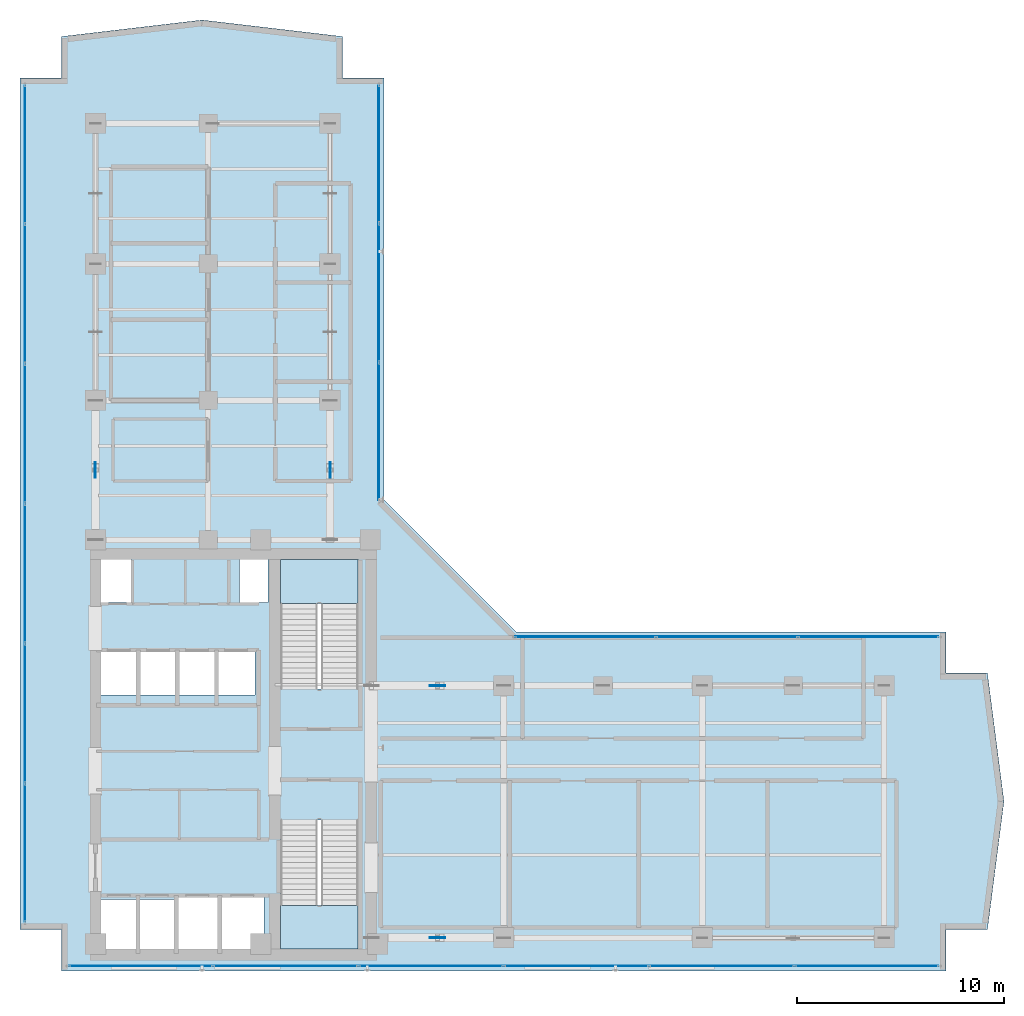
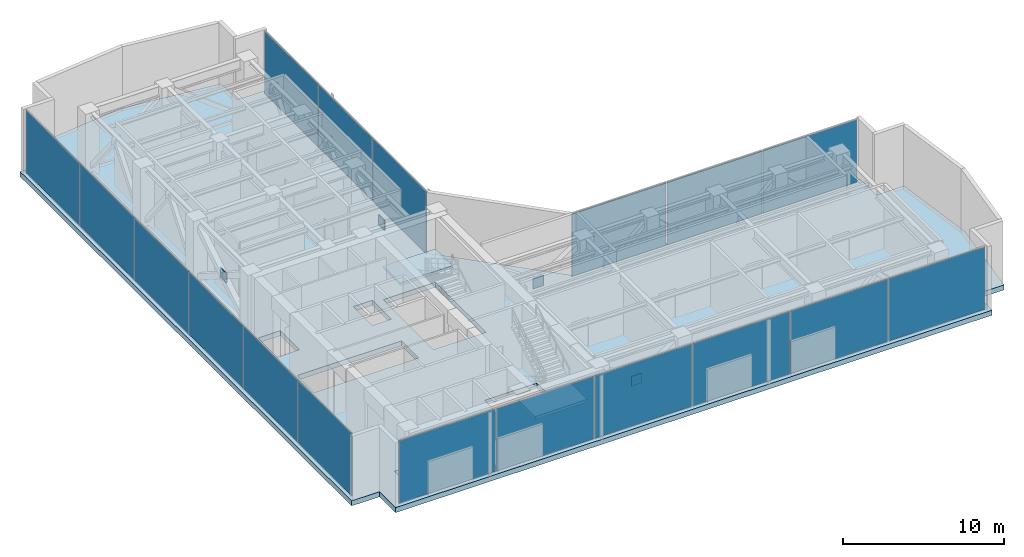
# One storey, part 23 of 31: 22 plates, 3 slabs, 6 elements without a shape of their own.
"""IFC4 building model written with IfcOpenShell, lengths in metres."""

from ifc_helpers import new_model, si_unit, direction, frame, origin, origin_with_axes, origin_2d, place, context, subcontext, project, spatial, polyline, rectangle, outline, extrude, source, transform, mapped, material, layer, layer_set, type_object, element, aggregate, save


model = new_model("IFC4")

# Units and contexts
model_context = context("Model", 3, precision=1e-05, world=origin(), true_north=direction((0.0, 1.0)))
body_context = subcontext(model_context, "Body", "Model", "MODEL_VIEW")
ifc_project = project(units=[si_unit("LENGTHUNIT", "METRE"), si_unit("AREAUNIT", "SQUARE_METRE"), si_unit("VOLUMEUNIT", "CUBIC_METRE"), si_unit("PLANEANGLEUNIT", "RADIAN"), si_unit("MASSUNIT", "GRAM", prefix="KILO")], contexts=[model_context])

# Site, building, storey
site_placement = place(None, origin())
site = spatial("IfcSite", under=ifc_project, at=site_placement, CompositionType="ELEMENT")
building_placement = place(site_placement, origin())
building = spatial("IfcBuilding", under=site, at=building_placement, Name="Kolvaren Waterfront Exchange", CompositionType="ELEMENT")
storey_placement = place(building_placement, frame((0.0, 0.0, 257.699951171875)))
storey = spatial("IfcBuildingStorey", under=building, at=storey_placement, Name="L66", CompositionType="ELEMENT", Elevation=257.699951171875)

# Stair, slab
ifc_material_1 = material(Name="Concrete C40/50", Category="concrete")
stair_type = type_object("IfcStairType", Name="ARC-STAIR-5100", PredefinedType="HALF_TURN_STAIR", material=ifc_material_1)
stair_1_placement = place(storey_placement, origin())
stair_1 = element("IfcStair", 1, at=stair_1_placement, inside=storey, type_object=stair_type, Name="L66 Smoke-proof exit stair ST1", PredefinedType="HALF_TURN_STAIR")
ifc_layer_1 = layer(ifc_material_1, 0.199951171875, Name="Concrete C40/50")
ifc_layer_set_1 = layer_set([ifc_layer_1], Name="Concrete C40/50")
slab_type_1 = type_object("IfcSlabType", Name="STR-LANDING-200", PredefinedType="LANDING", material=ifc_layer_set_1)
slab_1_placement = place(storey_placement, frame((0.0, 0.0, 2.35009765625)))
slab_1 = element("IfcSlab", 2, at=slab_1_placement, type_object=slab_type_1, Name="ST1 landing 1", PredefinedType="LANDING", context=body_context, shape_type="SweptSolid", body=[
    extrude(outline(polyline([(16.39990234375, 6.77001953125), (16.39990234375, 4.64990234375), (20.159912109375, 4.64990234375), (20.159912109375, 6.77001953125), (16.39990234375, 6.77001953125)])), origin(), (0.0, 0.0, 1.0), 0.199951171875),
])
aggregate(stair_1, [slab_1])

stair_2_placement = place(storey_placement, origin())
stair_2 = element("IfcStair", 3, at=stair_2_placement, inside=storey, type_object=stair_type, Name="L66 Smoke-proof exit stair ST2", PredefinedType="HALF_TURN_STAIR")
slab_2_placement = place(storey_placement, frame((0.0, 0.0, 2.35009765625)))
slab_2 = element("IfcSlab", 4, at=slab_2_placement, type_object=slab_type_1, Name="ST2 landing 1", PredefinedType="LANDING", context=body_context, shape_type="SweptSolid", body=[
    extrude(outline(polyline([(20.159912109375, 21.3798828125), (20.159912109375, 23.5), (16.39990234375, 23.5), (16.39990234375, 21.3798828125), (20.159912109375, 21.3798828125)])), origin(), (0.0, 0.0, 1.0), 0.199951171875),
])
aggregate(stair_2, [slab_2])

# Slab
ifc_layer_2 = layer(ifc_material_1, 0.3798828125, Name="Concrete C40/50")
ifc_layer_set_2 = layer_set([ifc_layer_2], Name="Concrete C40/50")
slab_type_2 = type_object("IfcSlabType", Name="STR-SLAB-380", PredefinedType="FLOOR", material=ifc_layer_set_2)
slab_3_placement = place(storey_placement, frame((0.0, 0.0, -0.3798828125)))
element("IfcSlab", 5, at=slab_3_placement, inside=storey, type_object=slab_type_2, Name="L66 structural floor slab", PredefinedType="FLOOR", context=body_context, shape_type="SweptSolid", body=[
    extrude(outline(polyline([(5.800048828125, 3.60009765625), (48.60009765625, 3.60009765625), (48.60009765625, 5.60009765625), (50.60009765625, 5.60009765625), (51.39990234375, 11.800048828125), (50.60009765625, 18.0), (48.60009765625, 18.0), (48.60009765625, 20.0), (27.800048828125, 20.0), (21.39990234375, 26.39990234375), (21.39990234375, 46.800048828125), (19.39990234375, 46.800048828125), (19.39990234375, 48.800048828125), (12.60009765625, 49.60009765625), (5.800048828125, 48.800048828125), (5.800048828125, 46.800048828125), (3.800048828125, 46.800048828125), (3.800048828125, 5.60009765625), (5.800048828125, 5.60009765625), (5.800048828125, 3.60009765625)]), holes=[polyline([(11.320068359375, 7.260009765625), (15.610107421875, 7.260009765625), (15.610107421875, 4.5400390625), (7.719970703125, 4.5400390625), (7.719970703125, 7.06005859375), (11.320068359375, 7.06005859375), (11.320068359375, 7.260009765625)]), polyline([(20.159912109375, 10.89990234375), (20.159912109375, 4.64990234375), (16.39990234375, 4.64990234375), (16.39990234375, 10.89990234375), (20.159912109375, 10.89990234375)]), polyline([(7.669921875, 19.06005859375), (15.159912109375, 19.06005859375), (15.159912109375, 16.93994140625), (7.669921875, 16.93994140625), (7.669921875, 19.06005859375)]), polyline([(16.39990234375, 17.25), (16.39990234375, 23.5), (20.159912109375, 23.5), (20.159912109375, 17.25), (16.39990234375, 17.25)]), polyline([(7.60009765625, 23.780029296875), (9.179931640625, 23.780029296875), (9.179931640625, 21.419921875), (7.60009765625, 21.419921875), (7.60009765625, 23.780029296875)]), polyline([(14.419921875, 23.780029296875), (15.800048828125, 23.780029296875), (15.800048828125, 21.419921875), (14.419921875, 21.419921875), (14.419921875, 23.780029296875)])]), origin(), (0.0, 0.0, 1.0), 0.3798828125),
])

# Plates
ifc_material_2 = material(Name="Steel S460", Category="steel")
ifc_layer_3 = layer(ifc_material_2, 0.044921875, Name="Steel S460")
ifc_layer_set_3 = layer_set([ifc_layer_3], Name="Steel S460")
plate_type_1 = type_object("IfcPlateType", Name="STR-PL-ON1", PredefinedType="USERDEFINED", material=ifc_layer_set_3)
shared_shape_1 = source(origin_with_axes(), body_context, "Body", "SweptSolid", [
    extrude(rectangle(XDim=0.75, YDim=0.044921875, at=origin_2d()), origin(), (0.0, 0.0, 1.0), 0.75),
])
for number, where, z_axis, x_axis, name in (
    (6, (24.0, 5.199951171875, 2.005126953125), (0.0, 0.0, 1.0), (1.0, 0.0, 0.0), "L66 outrigger X-brace crossing gusset plate OA1"),
    (7, (24.0, 17.39990234375, 2.005126953125), (0.0, 0.0, 1.0), (1.0, 0.0, 0.0), "L66 outrigger X-brace crossing gusset plate OA2"),
):
    element("IfcPlate", number, at=place(storey_placement, frame(where, z_axis=z_axis, x_axis=x_axis)), inside=storey, type_object=plate_type_1, Name=name, ObjectType="GUSSET PLATE", PredefinedType="USERDEFINED", context=body_context, shape_type="MappedRepresentation", body=[
        mapped(shared_shape_1, transform((0.0, 0.0, 0.0), x_axis=(1.0, 0.0, 0.0), y_axis=(0.0, 1.0, 0.0), z_axis=(0.0, 0.0, 1.0), scale=1.0)),
    ])
shared_shape_2 = source(origin_with_axes(), body_context, "Body", "SweptSolid", [
    extrude(rectangle(XDim=0.044921875, YDim=0.75, at=origin_2d()), origin(), (0.0, 0.0, 1.0), 0.75),
])
for number, where, z_axis, x_axis, name in (
    (8, (7.449951171875, 27.824951171875, 2.005126953125), (0.0, 0.0, 1.0), (1.0, 0.0, 0.0), "L66 outrigger X-brace crossing gusset plate OA3"),
    (9, (18.800048828125, 27.824951171875, 2.005126953125), (0.0, 0.0, 1.0), (1.0, 0.0, 0.0), "L66 outrigger X-brace crossing gusset plate OA4"),
):
    element("IfcPlate", number, at=place(storey_placement, frame(where, z_axis=z_axis, x_axis=x_axis)), inside=storey, type_object=plate_type_1, Name=name, ObjectType="GUSSET PLATE", PredefinedType="USERDEFINED", context=body_context, shape_type="MappedRepresentation", body=[
        mapped(shared_shape_2, transform((0.0, 0.0, 0.0), x_axis=(1.0, 0.0, 0.0), y_axis=(0.0, 1.0, 0.0), z_axis=(0.0, 0.0, 1.0), scale=1.0)),
    ])

# Curtain wall, plates
ifc_material_3 = material(Name="Anodised dark bronze spandrel aluminium", Category="aluminium")
ifc_layer_4 = layer(ifc_material_3, 0.219970703125, Name="Anodised dark bronze spandrel aluminium")
ifc_layer_set_4 = layer_set([ifc_layer_4], Name="Anodised dark bronze spandrel aluminium")
curtain_wall_type = type_object("IfcCurtainWallType", Name="ARC-CW-SYS6", PredefinedType="USERDEFINED", material=ifc_layer_set_4)
curtain_wall_1_placement = place(storey_placement, origin())
curtain_wall_1 = element("IfcCurtainWall", 10, at=curtain_wall_1_placement, inside=storey, type_object=curtain_wall_type, Name="L66 stick curtain wall CW6 (CW-L66-W)", ObjectType="STICK CURTAIN WALL", PredefinedType="USERDEFINED")
ifc_layer_5 = layer(ifc_material_3, 0.0419921875, Name="Anodised dark bronze spandrel aluminium")
ifc_layer_set_5 = layer_set([ifc_layer_5], Name="Anodised dark bronze spandrel aluminium")
plate_type_2 = type_object("IfcPlateType", Name="ARC-CWP-42", PredefinedType="CURTAIN_PANEL", material=ifc_layer_set_5)
shared_shape_3 = source(origin_with_axes(), body_context, "Body", "SweptSolid", [
    extrude(rectangle(XDim=6.654052734375, YDim=0.0419921875, at=origin_2d()), origin(), (0.0, 0.0, 1.0), 4.72998046875),
])
plate_1_placement = place(storey_placement, frame((4.0400390625, 9.302001953125, 0.06494140625), z_axis=(0.0, 0.0, 1.0), x_axis=(0.0, 1.0, 0.0)))
plate_1 = element("IfcPlate", 11, at=plate_1_placement, type_object=plate_type_2, Name="CW6 panel 1.1", PredefinedType="CURTAIN_PANEL", context=body_context, shape_type="MappedRepresentation", body=[
    mapped(shared_shape_3, transform((0.0, 0.0, 0.0), x_axis=(1.0, 0.0, 0.0), y_axis=(0.0, 1.0, 0.0), z_axis=(0.0, 0.0, 1.0), scale=1.0)),
])
plate_2_placement = place(storey_placement, frame((4.0400390625, 43.097900390625, 0.06494140625), z_axis=(0.0, 0.0, 1.0), x_axis=(0.0, 1.0, 0.0)))
plate_2 = element("IfcPlate", 12, at=plate_2_placement, type_object=plate_type_2, Name="CW6 panel 6.1", PredefinedType="CURTAIN_PANEL", context=body_context, shape_type="MappedRepresentation", body=[
    mapped(shared_shape_3, transform((0.0, 0.0, 0.0), x_axis=(1.0, 0.0, 0.0), y_axis=(0.0, 1.0, 0.0), z_axis=(0.0, 0.0, 1.0), scale=1.0)),
])
shared_shape_4 = source(origin_with_axes(), body_context, "Body", "SweptSolid", [
    extrude(rectangle(XDim=6.691650390625, YDim=0.0419921875, at=origin_2d()), origin(), (0.0, 0.0, 1.0), 4.72998046875),
])
plate_3_placement = place(storey_placement, frame((4.0400390625, 16.050048828125, 0.06494140625), z_axis=(0.0, 0.0, 1.0), x_axis=(0.0, 1.0, 0.0)))
plate_3 = element("IfcPlate", 13, at=plate_3_placement, type_object=plate_type_2, Name="CW6 panel 2.1", PredefinedType="CURTAIN_PANEL", context=body_context, shape_type="MappedRepresentation", body=[
    mapped(shared_shape_4, transform((0.0, 0.0, 0.0), x_axis=(1.0, 0.0, 0.0), y_axis=(0.0, 1.0, 0.0), z_axis=(0.0, 0.0, 1.0), scale=1.0)),
])
plate_4_placement = place(storey_placement, frame((4.0400390625, 22.816650390625, 0.06494140625), z_axis=(0.0, 0.0, 1.0), x_axis=(0.0, 1.0, 0.0)))
plate_4 = element("IfcPlate", 14, at=plate_4_placement, type_object=plate_type_2, Name="CW6 panel 3.1", PredefinedType="CURTAIN_PANEL", context=body_context, shape_type="MappedRepresentation", body=[
    mapped(shared_shape_4, transform((0.0, 0.0, 0.0), x_axis=(1.0, 0.0, 0.0), y_axis=(0.0, 1.0, 0.0), z_axis=(0.0, 0.0, 1.0), scale=1.0)),
])
plate_5_placement = place(storey_placement, frame((4.0400390625, 29.583251953125, 0.06494140625), z_axis=(0.0, 0.0, 1.0), x_axis=(0.0, 1.0, 0.0)))
plate_5 = element("IfcPlate", 15, at=plate_5_placement, type_object=plate_type_2, Name="CW6 panel 4.1", PredefinedType="CURTAIN_PANEL", context=body_context, shape_type="MappedRepresentation", body=[
    mapped(shared_shape_4, transform((0.0, 0.0, 0.0), x_axis=(1.0, 0.0, 0.0), y_axis=(0.0, 1.0, 0.0), z_axis=(0.0, 0.0, 1.0), scale=1.0)),
])
plate_6_placement = place(storey_placement, frame((4.0400390625, 36.35009765625, 0.06494140625), z_axis=(0.0, 0.0, 1.0), x_axis=(0.0, 1.0, 0.0)))
plate_6 = element("IfcPlate", 16, at=plate_6_placement, type_object=plate_type_2, Name="CW6 panel 5.1", PredefinedType="CURTAIN_PANEL", context=body_context, shape_type="MappedRepresentation", body=[
    mapped(shared_shape_4, transform((0.0, 0.0, 0.0), x_axis=(1.0, 0.0, 0.0), y_axis=(0.0, 1.0, 0.0), z_axis=(0.0, 0.0, 1.0), scale=1.0)),
])
aggregate(curtain_wall_1, [plate_1, plate_3, plate_4, plate_5, plate_6, plate_2])

curtain_wall_2_placement = place(storey_placement, origin())
curtain_wall_2 = element("IfcCurtainWall", 17, at=curtain_wall_2_placement, inside=storey, type_object=curtain_wall_type, Name="L66 stick curtain wall CW6 (CW-L66-S)", ObjectType="STICK CURTAIN WALL", PredefinedType="USERDEFINED")
shared_shape_5 = source(origin_with_axes(), body_context, "Body", "SweptSolid", [
    extrude(rectangle(XDim=6.9208984375, YDim=0.0419921875, at=origin_2d()), origin(), (0.0, 0.0, 1.0), 4.72998046875),
])
plate_7_placement = place(storey_placement, frame((9.635498046875, 3.840087890625, 0.06494140625), z_axis=(0.0, 0.0, 1.0), x_axis=(1.0, 0.0, 0.0)))
plate_7 = element("IfcPlate", 18, at=plate_7_placement, type_object=plate_type_2, Name="CW6 panel 1.1", PredefinedType="CURTAIN_PANEL", context=body_context, shape_type="MappedRepresentation", body=[
    mapped(shared_shape_5, transform((0.0, 0.0, 0.0), x_axis=(1.0, 0.0, 0.0), y_axis=(0.0, 1.0, 0.0), z_axis=(0.0, 0.0, 1.0), scale=1.0)),
])
plate_8_placement = place(storey_placement, frame((44.7646484375, 3.840087890625, 0.06494140625), z_axis=(0.0, 0.0, 1.0), x_axis=(1.0, 0.0, 0.0)))
plate_8 = element("IfcPlate", 19, at=plate_8_placement, type_object=plate_type_2, Name="CW6 panel 6.1", PredefinedType="CURTAIN_PANEL", context=body_context, shape_type="MappedRepresentation", body=[
    mapped(shared_shape_5, transform((0.0, 0.0, 0.0), x_axis=(1.0, 0.0, 0.0), y_axis=(0.0, 1.0, 0.0), z_axis=(0.0, 0.0, 1.0), scale=1.0)),
])
shared_shape_6 = source(origin_with_axes(), body_context, "Body", "SweptSolid", [
    extrude(rectangle(XDim=6.958251953125, YDim=0.0419921875, at=origin_2d()), origin(), (0.0, 0.0, 1.0), 4.72998046875),
])
plate_9_placement = place(storey_placement, frame((16.64990234375, 3.840087890625, 0.06494140625), z_axis=(0.0, 0.0, 1.0), x_axis=(1.0, 0.0, 0.0)))
plate_9 = element("IfcPlate", 20, at=plate_9_placement, type_object=plate_type_2, Name="CW6 panel 2.1", PredefinedType="CURTAIN_PANEL", context=body_context, shape_type="MappedRepresentation", body=[
    mapped(shared_shape_6, transform((0.0, 0.0, 0.0), x_axis=(1.0, 0.0, 0.0), y_axis=(0.0, 1.0, 0.0), z_axis=(0.0, 0.0, 1.0), scale=1.0)),
])
plate_10_placement = place(storey_placement, frame((23.683349609375, 3.840087890625, 0.06494140625), z_axis=(0.0, 0.0, 1.0), x_axis=(1.0, 0.0, 0.0)))
plate_10 = element("IfcPlate", 21, at=plate_10_placement, type_object=plate_type_2, Name="CW6 panel 3.1", PredefinedType="CURTAIN_PANEL", context=body_context, shape_type="MappedRepresentation", body=[
    mapped(shared_shape_6, transform((0.0, 0.0, 0.0), x_axis=(1.0, 0.0, 0.0), y_axis=(0.0, 1.0, 0.0), z_axis=(0.0, 0.0, 1.0), scale=1.0)),
])
plate_11_placement = place(storey_placement, frame((30.716552734375, 3.840087890625, 0.06494140625), z_axis=(0.0, 0.0, 1.0), x_axis=(1.0, 0.0, 0.0)))
plate_11 = element("IfcPlate", 22, at=plate_11_placement, type_object=plate_type_2, Name="CW6 panel 4.1", PredefinedType="CURTAIN_PANEL", context=body_context, shape_type="MappedRepresentation", body=[
    mapped(shared_shape_6, transform((0.0, 0.0, 0.0), x_axis=(1.0, 0.0, 0.0), y_axis=(0.0, 1.0, 0.0), z_axis=(0.0, 0.0, 1.0), scale=1.0)),
])
plate_12_placement = place(storey_placement, frame((37.75, 3.840087890625, 0.06494140625), z_axis=(0.0, 0.0, 1.0), x_axis=(1.0, 0.0, 0.0)))
plate_12 = element("IfcPlate", 23, at=plate_12_placement, type_object=plate_type_2, Name="CW6 panel 5.1", PredefinedType="CURTAIN_PANEL", context=body_context, shape_type="MappedRepresentation", body=[
    mapped(shared_shape_6, transform((0.0, 0.0, 0.0), x_axis=(1.0, 0.0, 0.0), y_axis=(0.0, 1.0, 0.0), z_axis=(0.0, 0.0, 1.0), scale=1.0)),
])
aggregate(curtain_wall_2, [plate_7, plate_9, plate_10, plate_11, plate_12, plate_8])

curtain_wall_3_placement = place(storey_placement, origin())
curtain_wall_3 = element("IfcCurtainWall", 24, at=curtain_wall_3_placement, inside=storey, type_object=curtain_wall_type, Name="L66 stick curtain wall CW6 (CW-L66-NE)", ObjectType="STICK CURTAIN WALL", PredefinedType="USERDEFINED")
shared_shape_7 = source(origin_with_axes(), body_context, "Body", "SweptSolid", [
    extrude(rectangle(XDim=6.624267578125, YDim=0.0419921875, at=origin_2d()), origin(), (0.0, 0.0, 1.0), 4.72998046875),
])
plate_13_placement = place(storey_placement, frame((21.159912109375, 29.677001953125, 0.06494140625), z_axis=(0.0, 0.0, 1.0), x_axis=(0.0, 1.0, 0.0)))
plate_13 = element("IfcPlate", 25, at=plate_13_placement, type_object=plate_type_2, Name="CW6 panel 1.1", PredefinedType="CURTAIN_PANEL", context=body_context, shape_type="MappedRepresentation", body=[
    mapped(shared_shape_7, transform((0.0, 0.0, 0.0), x_axis=(1.0, 0.0, 0.0), y_axis=(0.0, 1.0, 0.0), z_axis=(0.0, 0.0, 1.0), scale=1.0)),
])
plate_14_placement = place(storey_placement, frame((21.159912109375, 43.113037109375, 0.06494140625), z_axis=(0.0, 0.0, 1.0), x_axis=(0.0, 1.0, 0.0)))
plate_14 = element("IfcPlate", 26, at=plate_14_placement, type_object=plate_type_2, Name="CW6 panel 3.1", PredefinedType="CURTAIN_PANEL", context=body_context, shape_type="MappedRepresentation", body=[
    mapped(shared_shape_7, transform((0.0, 0.0, 0.0), x_axis=(1.0, 0.0, 0.0), y_axis=(0.0, 1.0, 0.0), z_axis=(0.0, 0.0, 1.0), scale=1.0)),
])
shared_shape_8 = source(origin_with_axes(), body_context, "Body", "SweptSolid", [
    extrude(rectangle(XDim=6.66162109375, YDim=0.0419921875, at=origin_2d()), origin(), (0.0, 0.0, 1.0), 4.72998046875),
])
plate_15_placement = place(storey_placement, frame((21.159912109375, 36.39501953125, 0.06494140625), z_axis=(0.0, 0.0, 1.0), x_axis=(0.0, 1.0, 0.0)))
plate_15 = element("IfcPlate", 27, at=plate_15_placement, type_object=plate_type_2, Name="CW6 panel 2.1", PredefinedType="CURTAIN_PANEL", context=body_context, shape_type="MappedRepresentation", body=[
    mapped(shared_shape_8, transform((0.0, 0.0, 0.0), x_axis=(1.0, 0.0, 0.0), y_axis=(0.0, 1.0, 0.0), z_axis=(0.0, 0.0, 1.0), scale=1.0)),
])
aggregate(curtain_wall_3, [plate_13, plate_15, plate_14])

curtain_wall_4_placement = place(storey_placement, origin())
curtain_wall_4 = element("IfcCurtainWall", 28, at=curtain_wall_4_placement, inside=storey, type_object=curtain_wall_type, Name="L66 stick curtain wall CW6 (CW-L66-EN)", ObjectType="STICK CURTAIN WALL", PredefinedType="USERDEFINED")
shared_shape_9 = source(origin_with_axes(), body_context, "Body", "SweptSolid", [
    extrude(rectangle(XDim=6.757568359375, YDim=0.0419921875, at=origin_2d()), origin(), (0.0, 0.0, 1.0), 4.72998046875),
])
plate_16_placement = place(storey_placement, frame((31.143798828125, 19.760009765625, 0.06494140625), z_axis=(0.0, 0.0, 1.0), x_axis=(1.0, 0.0, 0.0)))
plate_16 = element("IfcPlate", 29, at=plate_16_placement, type_object=plate_type_2, Name="CW6 panel 1.1", PredefinedType="CURTAIN_PANEL", context=body_context, shape_type="MappedRepresentation", body=[
    mapped(shared_shape_9, transform((0.0, 0.0, 0.0), x_axis=(1.0, 0.0, 0.0), y_axis=(0.0, 1.0, 0.0), z_axis=(0.0, 0.0, 1.0), scale=1.0)),
])
plate_17_placement = place(storey_placement, frame((44.84619140625, 19.760009765625, 0.06494140625), z_axis=(0.0, 0.0, 1.0), x_axis=(1.0, 0.0, 0.0)))
plate_17 = element("IfcPlate", 30, at=plate_17_placement, type_object=plate_type_2, Name="CW6 panel 3.1", PredefinedType="CURTAIN_PANEL", context=body_context, shape_type="MappedRepresentation", body=[
    mapped(shared_shape_9, transform((0.0, 0.0, 0.0), x_axis=(1.0, 0.0, 0.0), y_axis=(0.0, 1.0, 0.0), z_axis=(0.0, 0.0, 1.0), scale=1.0)),
])
shared_shape_10 = source(origin_with_axes(), body_context, "Body", "SweptSolid", [
    extrude(rectangle(XDim=6.794921875, YDim=0.0419921875, at=origin_2d()), origin(), (0.0, 0.0, 1.0), 4.72998046875),
])
plate_18_placement = place(storey_placement, frame((37.9951171875, 19.760009765625, 0.06494140625), z_axis=(0.0, 0.0, 1.0), x_axis=(1.0, 0.0, 0.0)))
plate_18 = element("IfcPlate", 31, at=plate_18_placement, type_object=plate_type_2, Name="CW6 panel 2.1", PredefinedType="CURTAIN_PANEL", context=body_context, shape_type="MappedRepresentation", body=[
    mapped(shared_shape_10, transform((0.0, 0.0, 0.0), x_axis=(1.0, 0.0, 0.0), y_axis=(0.0, 1.0, 0.0), z_axis=(0.0, 0.0, 1.0), scale=1.0)),
])
aggregate(curtain_wall_4, [plate_16, plate_18, plate_17])

save(model, "model.ifc")
